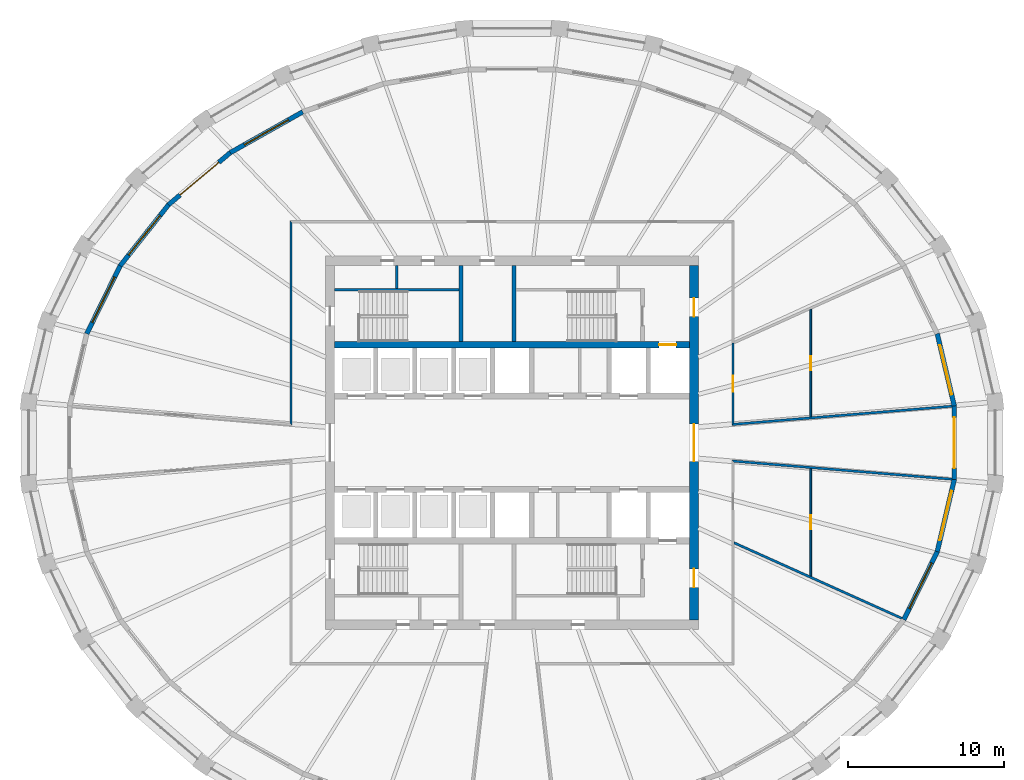
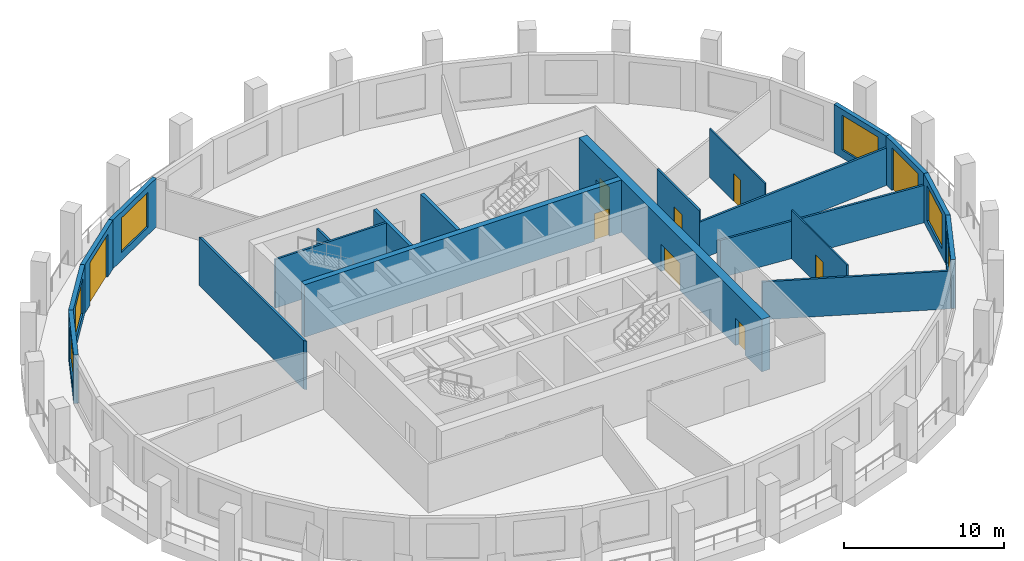
# One storey, part 5 of 10: 21 walls, 9 doors, 6 windows, 15 openings.
"""IFC4 building model written with IfcOpenShell, lengths in metres."""

from ifc_helpers import new_model, si_unit, direction, frame, frame_2d, origin, place, context, subcontext, project, spatial, polyline, rectangle, outline, extrude, material, layer, layer_set, type_object, element, fill, save


model = new_model("IFC4")

# Units and contexts
model_context = context("Model", 3, precision=1e-05, world=origin(), true_north=direction((0.0, 1.0)))
body_context = subcontext(model_context, "Body", "Model", "MODEL_VIEW")
ifc_project = project(units=[si_unit("LENGTHUNIT", "METRE"), si_unit("AREAUNIT", "SQUARE_METRE"), si_unit("VOLUMEUNIT", "CUBIC_METRE"), si_unit("PLANEANGLEUNIT", "RADIAN"), si_unit("MASSUNIT", "GRAM", prefix="KILO")], contexts=[model_context])

# Site, building, storey
site_placement = place(None, origin())
site = spatial("IfcSite", under=ifc_project, at=site_placement, CompositionType="ELEMENT")
building_placement = place(site_placement, origin())
building = spatial("IfcBuilding", under=site, at=building_placement, Name="Halqa Exchange Tower", CompositionType="ELEMENT")
storey_placement = place(building_placement, frame((0.0, 0.0, 238.89990234375)))
storey = spatial("IfcBuildingStorey", under=building, at=storey_placement, Name="L55", CompositionType="ELEMENT", Elevation=238.89990234375)

# Walls
ifc_material_1 = material(Name="Fire-rated gypsum board")
ifc_layer_1 = layer(ifc_material_1, 0.14990234375)
ifc_layer_set_1 = layer_set([ifc_layer_1], Name="Fire-rated gypsum board")
wall_type_1 = type_object("IfcWallType", Name="Fire partition EI 60 150", PredefinedType="PARTITIONING", material=ifc_layer_set_1)
wall_1_placement = place(storey_placement, frame((-14.199951171875, 1.098388671875, 0.0), z_axis=(0.0, 0.0, 1.0), x_axis=(0.0, 1.0, 0.0)))
element("IfcWall", 1, at=wall_1_placement, inside=storey, type_object=wall_type_1, Name="L55-PWL-004", PredefinedType="PARTITIONING", context=body_context, shape_type="SweptSolid", body=[
    extrude(outline(polyline([(0.000244140625, -0.074951171875), (1.861083984375, -0.074951171875), (3.721923828125, -0.074951171875), (5.5830078125, -0.074951171875), (7.44384765625, -0.074951171875), (9.3046875, -0.074951171875), (11.165771484375, -0.074951171875), (13.026611328125, -0.074951171875), (13.176513671875, 0.074951171875), (11.3173828125, 0.074951171875), (9.458251953125, 0.074951171875), (7.599365234375, 0.074951171875), (5.740234375, 0.074951171875), (3.881103515625, 0.074951171875), (2.02197265625, 0.074951171875), (0.1630859375, 0.074951171875), (0.000244140625, -0.074951171875)])), origin(), (0.0, 0.0, 1.0), 3.7001953125),
])
wall_2_placement = place(storey_placement, frame((14.24462890625, -6.420166015625, 0.0), z_axis=(0.0, 0.0, 1.0), x_axis=(0.911879517983, -0.410457969448, 0.0)))
element("IfcWall", 2, at=wall_2_placement, inside=storey, type_object=wall_type_1, Name="L55-PWL-014", PredefinedType="PARTITIONING", context=body_context, shape_type="SweptSolid", body=[
    extrude(outline(polyline([(0.067138671875, -0.074951171875), (2.029052734375, -0.074951171875), (3.9912109375, -0.074951171875), (5.953369140625, -0.074951171875), (7.91552734375, -0.074951171875), (9.877685546875, -0.074951171875), (11.83984375, -0.074951171875), (11.857666015625, -0.00390625), (11.8603515625, 0.074951171875), (10.232666015625, 0.074951171875), (8.604736328125, 0.074951171875), (6.97705078125, 0.074951171875), (5.349365234375, 0.074951171875), (5.34619140625, 0.073486328125), (5.345703125, 0.074951171875), (3.563720703125, 0.074951171875), (1.781982421875, 0.074951171875), (0.0, 0.074951171875), (0.0, 0.073974609375), (0.067138671875, -0.074951171875)])), origin(), (0.0, 0.0, 1.0), 2.880126953125),
])
wall_3_placement = place(storey_placement, frame((14.118896484375, -1.17333984375, 0.0), z_axis=(0.0, 0.0, 1.0), x_axis=(0.996590090632, -0.082511764333, 0.0)))
element("IfcWall", 3, at=wall_3_placement, inside=storey, type_object=wall_type_1, Name="L55-PWL-015", PredefinedType="PARTITIONING", context=body_context, shape_type="SweptSolid", body=[
    extrude(outline(polyline([(0.162841796875, -0.074951171875), (1.8232421875, -0.074951171875), (3.48388671875, -0.074951171875), (5.144287109375, -0.074951171875), (5.15478515625, -0.073974609375), (5.15478515625, -0.074951171875), (6.96240234375, -0.074951171875), (8.77001953125, -0.074951171875), (10.577392578125, -0.074951171875), (12.385009765625, -0.074951171875), (14.192626953125, -0.074951171875), (14.196533203125, -0.04833984375), (14.196533203125, 0.074951171875), (12.421875, 0.074951171875), (10.6474609375, 0.074951171875), (8.872802734375, 0.074951171875), (7.098388671875, 0.074951171875), (5.32373046875, 0.074951171875), (3.549072265625, 0.074951171875), (1.774658203125, 0.074951171875), (0.0, 0.074951171875), (0.081298828125, 0.0), (0.162841796875, -0.074951171875)])), origin(), (0.0, 0.0, 1.0), 2.85009765625),
])
wall_4_placement = place(storey_placement, frame((14.118896484375, 1.17333984375, 0.0), z_axis=(0.0, 0.0, 1.0), x_axis=(0.996590090632, 0.082511764333, 0.0)))
element("IfcWall", 4, at=wall_4_placement, inside=storey, type_object=wall_type_1, Name="L55-PWL-016", PredefinedType="PARTITIONING", context=body_context, shape_type="SweptSolid", body=[
    extrude(outline(polyline([(14.196533203125, -0.074951171875), (14.196533203125, 0.04833984375), (14.192626953125, 0.074951171875), (12.385009765625, 0.074951171875), (10.577392578125, 0.074951171875), (8.77001953125, 0.074951171875), (6.96240234375, 0.074951171875), (5.15478515625, 0.074951171875), (5.15478515625, 0.073974609375), (5.144287109375, 0.074951171875), (3.48388671875, 0.074951171875), (1.8232421875, 0.074951171875), (0.162841796875, 0.074951171875), (0.081298828125, 0.0), (0.0, -0.074951171875), (1.774658203125, -0.074951171875), (3.549072265625, -0.074951171875), (5.32373046875, -0.074951171875), (7.098388671875, -0.074951171875), (8.872802734375, -0.074951171875), (10.6474609375, -0.074951171875), (12.421875, -0.074951171875), (14.196533203125, -0.074951171875)])), origin(), (0.0, 0.0, 1.0), 2.85009765625),
])

# Wall, opening, door
wall_5_placement = place(storey_placement, frame((14.199951171875, 6.39990234375, 0.0), z_axis=(0.0, 0.0, 1.0), x_axis=(0.0, -1.0, 0.0)))
wall_5 = element("IfcWall", 5, at=wall_5_placement, inside=storey, type_object=wall_type_1, Name="L55-PWL-017", PredefinedType="PARTITIONING", context=body_context, shape_type="SweptSolid", body=[
    extrude(outline(polyline([(0.0, -0.074951171875), (1.76708984375, -0.074951171875), (3.5341796875, -0.074951171875), (5.30126953125, -0.074951171875), (5.138427734375, 0.074951171875), (3.42578125, 0.074951171875), (1.712890625, 0.074951171875), (0.0, 0.074951171875), (0.0, -0.074951171875)])), origin(), (0.0, 0.0, 1.0), 3.7001953125),
])
opening_1_placement = place(wall_5_placement, frame((2.110107421875, 0.0, 0.0)))
opening_1 = element("IfcOpeningElement", 6, at=opening_1_placement, cuts=wall_5, Name="Opening 17-04", PredefinedType="OPENING", context=body_context, shape_type="SweptSolid", body=[
    extrude(rectangle(XDim=1.0, YDim=2.10009765625, at=frame_2d((0.5, 1.050048828125))), frame((0.0, 0.0869140625, 0.0), z_axis=(0.0, -1.0, 0.0), x_axis=(1.0, 0.0, 0.0)), (0.0, 0.0, 1.0), 0.173828125),
])
ifc_material_2 = material(Name="Steel fire door leaf", Category="steel")
door_type_1 = type_object("IfcDoorType", Name="Fire door FD30S 1000 x 2100", OperationType="SINGLE_SWING_LEFT", PredefinedType="DOOR", material=ifc_material_2)
door_1_placement = place(opening_1_placement, origin())
door_1 = element("IfcDoor", 7, at=door_1_placement, inside=storey, type_object=door_type_1, Name="L55-IDR-004", OperationType="SINGLE_SWING_RIGHT", OverallHeight=2.10009765625, OverallWidth=1.0, PredefinedType="DOOR", context=body_context, shape_type="SweptSolid", body=[
    extrude(rectangle(XDim=1.0, YDim=2.10009765625, at=frame_2d((0.5, 1.050048828125))), frame((0.0, 0.02490234375, 0.0), z_axis=(0.0, -1.0, 0.0), x_axis=(1.0, 0.0, 0.0)), (0.0, 0.0, 1.0), 0.050048828125),
])
fill(opening_1, door_1)

ifc_material_3 = material(Name="Gypsum board")
ifc_layer_2 = layer(ifc_material_3, 0.10009765625)
ifc_layer_set_2 = layer_set([ifc_layer_2], Name="Gypsum board")
wall_type_2 = type_object("IfcWallType", Name="Partition 100 gypsum", PredefinedType="PARTITIONING", material=ifc_layer_set_2)
wall_6_placement = place(storey_placement, frame((19.199951171875, -1.66552734375, 0.0), z_axis=(0.0, 0.0, 1.0), x_axis=(0.0, -1.0, 0.0)))
wall_6 = element("IfcWall", 8, at=wall_6_placement, inside=storey, type_object=wall_type_2, Name="L55-PWL-020", PredefinedType="PARTITIONING", context=body_context, shape_type="SweptSolid", body=[
    extrude(outline(polyline([(0.0, -0.050048828125), (1.719970703125, -0.050048828125), (3.440185546875, -0.050048828125), (5.16015625, -0.050048828125), (6.88037109375, -0.050048828125), (6.925048828125, 0.04931640625), (6.925048828125, 0.050048828125), (5.19580078125, 0.050048828125), (3.466552734375, 0.050048828125), (1.737060546875, 0.050048828125), (0.0078125, 0.050048828125), (0.0, -0.044921875), (0.0, -0.050048828125)])), origin(), (0.0, 0.0, 1.0), 3.7001953125),
])
opening_2_placement = place(wall_6_placement, frame((3.00439453125, 0.0, 0.0)))
opening_2 = element("IfcOpeningElement", 9, at=opening_2_placement, cuts=wall_6, Name="Opening 17-08", PredefinedType="OPENING", context=body_context, shape_type="SweptSolid", body=[
    extrude(rectangle(XDim=0.89990234375, YDim=2.10009765625, at=frame_2d((0.449951171875, 1.050048828125))), frame((0.0, 0.06201171875, 0.0), z_axis=(0.0, -1.0, 0.0), x_axis=(1.0, 0.0, 0.0)), (0.0, 0.0, 1.0), 0.1240234375),
])
ifc_material_4 = material(Name="Timber door leaf", Category="wood")
door_type_2 = type_object("IfcDoorType", Name="Door 900 x 2100", OperationType="SINGLE_SWING_LEFT", PredefinedType="DOOR", material=ifc_material_4)
door_2_placement = place(opening_2_placement, frame((0.89990234375, 0.0, 0.0), z_axis=(0.0, 0.0, 1.0), x_axis=(-1.0, 0.0, 0.0)))
door_2 = element("IfcDoor", 10, at=door_2_placement, inside=storey, type_object=door_type_2, Name="L55-IDR-008", OperationType="SINGLE_SWING_RIGHT", OverallHeight=2.10009765625, OverallWidth=0.89990234375, PredefinedType="DOOR", context=body_context, shape_type="SweptSolid", body=[
    extrude(rectangle(XDim=0.89990234375, YDim=2.10009765625, at=frame_2d((0.449951171875, 1.050048828125))), frame((0.0, 0.02490234375, 0.0), z_axis=(0.0, -1.0, 0.0), x_axis=(1.0, 0.0, 0.0)), (0.0, 0.0, 1.0), 0.050048828125),
])
fill(opening_2, door_2)

wall_7_placement = place(storey_placement, frame((19.199951171875, 8.590087890625, 0.0), z_axis=(0.0, 0.0, 1.0), x_axis=(0.0, -1.0, 0.0)))
wall_7 = element("IfcWall", 11, at=wall_7_placement, inside=storey, type_object=wall_type_2, Name="L55-PWL-021", PredefinedType="PARTITIONING", context=body_context, shape_type="SweptSolid", body=[
    extrude(outline(polyline([(6.924560546875, -0.050048828125), (6.924560546875, -0.044921875), (6.916748046875, 0.050048828125), (5.1875, 0.050048828125), (3.458251953125, 0.050048828125), (1.729248046875, 0.050048828125), (0.0, 0.050048828125), (0.0, 0.049560546875), (0.044921875, -0.050048828125), (1.7646484375, -0.050048828125), (3.484619140625, -0.050048828125), (5.20458984375, -0.050048828125), (6.924560546875, -0.050048828125)])), origin(), (0.0, 0.0, 1.0), 3.7001953125),
])
opening_3_placement = place(wall_7_placement, frame((3.02001953125, 0.0, 0.0)))
opening_3 = element("IfcOpeningElement", 12, at=opening_3_placement, cuts=wall_7, Name="Opening 17-09", PredefinedType="OPENING", context=body_context, shape_type="SweptSolid", body=[
    extrude(rectangle(XDim=0.89990234375, YDim=2.10009765625, at=frame_2d((0.449951171875, 1.050048828125))), frame((0.0, 0.06201171875, 0.0), z_axis=(0.0, -1.0, 0.0), x_axis=(1.0, 0.0, 0.0)), (0.0, 0.0, 1.0), 0.1240234375),
])
door_3_placement = place(opening_3_placement, frame((0.89990234375, 0.0, 0.0), z_axis=(0.0, 0.0, 1.0), x_axis=(-1.0, 0.0, 0.0)))
door_3 = element("IfcDoor", 13, at=door_3_placement, inside=storey, type_object=door_type_2, Name="L55-IDR-009", OperationType="SINGLE_SWING_RIGHT", OverallHeight=2.10009765625, OverallWidth=0.89990234375, PredefinedType="DOOR", context=body_context, shape_type="SweptSolid", body=[
    extrude(rectangle(XDim=0.89990234375, YDim=2.10009765625, at=frame_2d((0.449951171875, 1.050048828125))), frame((0.0, 0.02490234375, 0.0), z_axis=(0.0, -1.0, 0.0), x_axis=(1.0, 0.0, 0.0)), (0.0, 0.0, 1.0), 0.050048828125),
])
fill(opening_3, door_3)

# Wall
ifc_layer_3 = layer(ifc_material_3, 0.14990234375)
ifc_layer_set_3 = layer_set([ifc_layer_3], Name="Gypsum board")
wall_type_3 = type_object("IfcWallType", Name="Penthouse riser wall 150 gypsum", PredefinedType="PARTITIONING", material=ifc_layer_set_3)
wall_8_placement = place(storey_placement, frame((-7.39990234375, 9.89990234375, 0.0), z_axis=(0.0, 0.0, 1.0), x_axis=(0.0, 1.0, 0.0)))
element("IfcWall", 14, at=wall_8_placement, inside=storey, type_object=wall_type_3, Name="Partition W7.400 N", PredefinedType="PARTITIONING", context=body_context, shape_type="SweptSolid", body=[
    extrude(rectangle(XDim=1.5, YDim=0.14990234375, at=frame_2d((0.75, 0.0))), origin(), (0.0, 0.0, 1.0), 3.7001953125),
])

# Wall, opening, door
ifc_material_5 = material(Name="Concrete C70/85", Category="concrete")
ifc_layer_4 = layer(ifc_material_5, 0.39990234375)
ifc_layer_set_4 = layer_set([ifc_layer_4], Name="Concrete C70/85")
wall_type_4 = type_object("IfcWallType", Name="RC core wall 400 C70/85", PredefinedType="SHEAR", material=ifc_layer_set_4)
wall_9_placement = place(storey_placement, frame((-11.39990234375, 6.300048828125, 0.0), z_axis=(0.0, 0.0, 1.0), x_axis=(1.0, 0.0, 0.0)))
wall_9 = element("IfcWall", 15, at=wall_9_placement, inside=storey, type_object=wall_type_4, Name="Lift row back wall N", PredefinedType="SHEAR", context=body_context, shape_type="SweptSolid", body=[
    extrude(rectangle(XDim=22.7998046875, YDim=0.39990234375, at=frame_2d((11.39990234375, 0.0))), origin(), (0.0, 0.0, 1.0), 4.0),
])
opening_4_placement = place(wall_9_placement, frame((20.85009765625, 0.0, 0.0)))
opening_4 = element("IfcOpeningElement", 16, at=opening_4_placement, cuts=wall_9, Name="Opening LD-FF1-T17", PredefinedType="OPENING", context=body_context, shape_type="SweptSolid", body=[
    extrude(rectangle(XDim=1.10009765625, YDim=2.10009765625, at=frame_2d((0.550048828125, 1.050048828125))), frame((0.0, 0.2119140625, 0.0), z_axis=(0.0, -1.0, 0.0), x_axis=(1.0, 0.0, 0.0)), (0.0, 0.0, 1.0), 0.423828125),
])
ifc_material_6 = material(Name="Stainless steel", Category="steel")
door_type_3 = type_object("IfcDoorType", Name="Lift landing door 1100 x 2100", OperationType="SLIDING_TO_LEFT", PredefinedType="DOOR", material=ifc_material_6)
door_4_placement = place(opening_4_placement, origin())
door_4 = element("IfcDoor", 17, at=door_4_placement, inside=storey, type_object=door_type_3, Name="Lift landing door FF1", OperationType="SLIDING_TO_LEFT", OverallHeight=2.10009765625, OverallWidth=1.10009765625, PredefinedType="DOOR", context=body_context, shape_type="SweptSolid", body=[
    extrude(rectangle(XDim=1.10009765625, YDim=2.10009765625, at=frame_2d((0.550048828125, 1.050048828125))), frame((0.0, 0.02490234375, 0.0), z_axis=(0.0, -1.0, 0.0), x_axis=(1.0, 0.0, 0.0)), (0.0, 0.0, 1.0), 0.050048828125),
])
fill(opening_4, door_4)

# Wall, openings, doors
ifc_layer_5 = layer(ifc_material_5, 0.60009765625)
ifc_layer_set_5 = layer_set([ifc_layer_5], Name="Concrete C70/85")
wall_type_5 = type_object("IfcWallType", Name="RC core wall 600 C70/85", PredefinedType="SHEAR", material=ifc_layer_set_5)
wall_10_placement = place(storey_placement, frame((11.699951171875, -11.39990234375, 0.0), z_axis=(0.0, 0.0, 1.0), x_axis=(0.0, 1.0, 0.0)))
wall_10 = element("IfcWall", 18, at=wall_10_placement, inside=storey, type_object=wall_type_5, Name="Core wall east", PredefinedType="SHEAR", context=body_context, shape_type="SweptSolid", body=[
    extrude(rectangle(XDim=22.7998046875, YDim=0.60009765625, at=frame_2d((11.39990234375, 0.0))), origin(), (0.0, 0.0, 1.0), 4.0),
])
opening_5_placement = place(wall_10_placement, frame((10.199951171875, 0.0, 0.0)))
opening_5 = element("IfcOpeningElement", 19, at=opening_5_placement, cuts=wall_10, Name="Opening T17-C14", PredefinedType="OPENING", context=body_context, shape_type="SweptSolid", body=[
    extrude(rectangle(XDim=2.39990234375, YDim=2.10009765625, at=frame_2d((1.199951171875, 1.050048828125))), frame((0.0, 0.31201171875, 0.0), z_axis=(0.0, -1.0, 0.0), x_axis=(1.0, 0.0, 0.0)), (0.0, 0.0, 1.0), 0.6240234375),
])
opening_6_placement = place(wall_10_placement, frame((19.5, 0.0, 0.0)))
opening_6 = element("IfcOpeningElement", 20, at=opening_6_placement, cuts=wall_10, Name="Opening T17-C19", PredefinedType="OPENING", context=body_context, shape_type="SweptSolid", body=[
    extrude(rectangle(XDim=1.199951171875, YDim=2.10009765625, at=frame_2d((0.60009765625, 1.050048828125))), frame((0.0, 0.31201171875, 0.0), z_axis=(0.0, -1.0, 0.0), x_axis=(1.0, 0.0, 0.0)), (0.0, 0.0, 1.0), 0.6240234375),
])
opening_7_placement = place(wall_10_placement, frame((2.10009765625, 0.0, 0.0)))
opening_7 = element("IfcOpeningElement", 21, at=opening_7_placement, cuts=wall_10, Name="Opening T17-C20", PredefinedType="OPENING", context=body_context, shape_type="SweptSolid", body=[
    extrude(rectangle(XDim=1.199951171875, YDim=2.10009765625, at=frame_2d((0.60009765625, 1.050048828125))), frame((0.0, 0.31201171875, 0.0), z_axis=(0.0, -1.0, 0.0), x_axis=(1.0, 0.0, 0.0)), (0.0, 0.0, 1.0), 0.6240234375),
])
door_type_4 = type_object("IfcDoorType", Name="Firefighting lobby door FD90 1200 x 2100", OperationType="SINGLE_SWING_RIGHT", PredefinedType="DOOR", material=ifc_material_2)
door_5_placement = place(opening_6_placement, origin())
door_5 = element("IfcDoor", 22, at=door_5_placement, inside=storey, type_object=door_type_4, Name="Firefighting lobby door", OperationType="SINGLE_SWING_RIGHT", OverallHeight=2.10009765625, OverallWidth=1.199951171875, PredefinedType="DOOR", context=body_context, shape_type="SweptSolid", body=[
    extrude(rectangle(XDim=1.199951171875, YDim=2.10009765625, at=frame_2d((0.60009765625, 1.050048828125))), frame((0.0, 0.02490234375, 0.0), z_axis=(0.0, -1.0, 0.0), x_axis=(1.0, 0.0, 0.0)), (0.0, 0.0, 1.0), 0.050048828125),
])
fill(opening_6, door_5)
door_6_placement = place(opening_7_placement, origin())
door_6 = element("IfcDoor", 23, at=door_6_placement, inside=storey, type_object=door_type_4, Name="Firefighting lobby door", OperationType="SINGLE_SWING_LEFT", OverallHeight=2.10009765625, OverallWidth=1.199951171875, PredefinedType="DOOR", context=body_context, shape_type="SweptSolid", body=[
    extrude(rectangle(XDim=1.199951171875, YDim=2.10009765625, at=frame_2d((0.60009765625, 1.050048828125))), frame((0.0, 0.02490234375, 0.0), z_axis=(0.0, -1.0, 0.0), x_axis=(1.0, 0.0, 0.0)), (0.0, 0.0, 1.0), 0.050048828125),
])
fill(opening_7, door_6)
door_type_5 = type_object("IfcDoorType", Name="Lobby double door FD60 2400 x 2100", OperationType="DOUBLE_DOOR_SINGLE_SWING", PredefinedType="DOOR", material=ifc_material_2)
door_7_placement = place(opening_5_placement, origin())
door_7 = element("IfcDoor", 24, at=door_7_placement, inside=storey, type_object=door_type_5, Name="Lift lobby double door", OperationType="DOUBLE_DOOR_SINGLE_SWING", OverallHeight=2.10009765625, OverallWidth=2.39990234375, PredefinedType="DOOR", context=body_context, shape_type="SweptSolid", body=[
    extrude(rectangle(XDim=2.39990234375, YDim=2.10009765625, at=frame_2d((1.199951171875, 1.050048828125))), frame((0.0, 0.02490234375, 0.0), z_axis=(0.0, -1.0, 0.0), x_axis=(1.0, 0.0, 0.0)), (0.0, 0.0, 1.0), 0.050048828125),
])
fill(opening_5, door_7)

# Walls
ifc_material_7 = material(Name="Concrete C30/37", Category="concrete")
ifc_layer_6 = layer(ifc_material_7, 0.14990234375)
ifc_layer_set_6 = layer_set([ifc_layer_6], Name="Concrete C30/37")
wall_type_6 = type_object("IfcWallType", Name="RC stair wall 150 C30/37", PredefinedType="SHEAR", material=ifc_layer_set_6)
wall_11_placement = place(storey_placement, frame((-11.39990234375, 9.824951171875, 0.0), z_axis=(0.0, 0.0, 1.0), x_axis=(1.0, 0.0, 0.0)))
element("IfcWall", 25, at=wall_11_placement, inside=storey, type_object=wall_type_6, Name="Stair ST1 north wall N", PredefinedType="SHEAR", context=body_context, shape_type="SweptSolid", body=[
    extrude(rectangle(XDim=8.0, YDim=0.14990234375, at=frame_2d((4.0, 0.0))), origin(), (0.0, 0.0, 1.0), 3.7001953125),
])
ifc_layer_7 = layer(ifc_material_7, 0.25)
ifc_layer_set_7 = layer_set([ifc_layer_7], Name="Concrete C30/37")
wall_type_7 = type_object("IfcWallType", Name="RC stair wall 250 C30/37", PredefinedType="SHEAR", material=ifc_layer_set_7)
for number, where, z_axis, x_axis, name in (
    (26, (-3.27490234375, 6.5, 0.0), (0.0, 0.0, 1.0), (0.0, 1.0, 0.0), "Stair ST1 east wall N"),
    (27, (0.125, 6.5, 0.0), (0.0, 0.0, 1.0), (0.0, 1.0, 0.0), "Stair ST2 west wall N"),
):
    element("IfcWall", number, at=place(storey_placement, frame(where, z_axis=z_axis, x_axis=x_axis)), inside=storey, type_object=wall_type_7, Name=name, PredefinedType="SHEAR", context=body_context, shape_type="SweptSolid", body=[
        extrude(rectangle(XDim=4.89990234375, YDim=0.25, at=frame_2d((2.449951171875, 0.0))), origin(), (0.0, 0.0, 1.0), 3.7001953125),
    ])

# Wall, opening, window
ifc_material_8 = material(Name="Limestone cladding", Category="masonry")
ifc_layer_8 = layer(ifc_material_8, 0.0400390625)
ifc_material_9 = material(Name="Ventilated cavity")
ifc_layer_9 = layer(ifc_material_9, 0.030029296875, ventilated=True)
ifc_material_10 = material(Name="Mineral wool insulation")
ifc_layer_10 = layer(ifc_material_10, 0.10009765625)
ifc_layer_11 = layer(ifc_material_7, 0.10009765625)
ifc_material_11 = material(Name="Internal plaster")
ifc_layer_12 = layer(ifc_material_11, 0.030029296875)
ifc_layer_set_8 = layer_set([ifc_layer_8, ifc_layer_9, ifc_layer_10, ifc_layer_11, ifc_layer_12], Name="Stone-faced insulated wall 300")
wall_type_8 = type_object("IfcWallType", Name="Stone-faced insulated wall 300", PredefinedType="STANDARD", material=ifc_layer_set_8)
wall_12_placement = place(storey_placement, frame((28.423583984375, 2.365234375, 0.0), z_axis=(0.0, 0.0, 1.0), x_axis=(-0.229593205094, 0.973286679337, 0.0)))
wall_12 = element("IfcWall", 28, at=wall_12_placement, inside=storey, type_object=wall_type_8, Name="Glass-line wall 1", PredefinedType="STANDARD", context=body_context, shape_type="SweptSolid", body=[
    extrude(outline(polyline([(-0.017578125, -0.14990234375), (4.78271484375, -0.14990234375), (4.7490234375, 0.14990234375), (0.017578125, 0.14990234375), (-0.017578125, -0.14990234375)])), origin(), (0.0, 0.0, 1.0), 3.7001953125),
])
opening_8_placement = place(wall_12_placement, frame((0.758056640625, 0.0, 0.60009765625)))
opening_8 = element("IfcOpeningElement", 29, at=opening_8_placement, cuts=wall_12, Name="Opening W-F3-01", PredefinedType="OPENING", context=body_context, shape_type="SweptSolid", body=[
    extrude(rectangle(XDim=3.25, YDim=2.64990234375, at=frame_2d((1.625, 1.324951171875))), frame((0.0, 0.162109375, 0.0), z_axis=(0.0, -1.0, 0.0), x_axis=(1.0, 0.0, 0.0)), (0.0, 0.0, 1.0), 0.323974609375),
])
ifc_material_12 = material(Name="Clear low-emissivity glass in aluminium frame", Category="aluminium")
window_type = type_object("IfcWindowType", Name="Fixed clear glazed window 3250 x 2650", PartitioningType="TRIPLE_PANEL_VERTICAL", PredefinedType="WINDOW", material=ifc_material_12)
window_1_placement = place(opening_8_placement, origin())
window_1 = element("IfcWindow", 30, at=window_1_placement, inside=storey, type_object=window_type, Name="Window 3", OverallHeight=2.64990234375, OverallWidth=3.25, PartitioningType="TRIPLE_PANEL_VERTICAL", PredefinedType="WINDOW", context=body_context, shape_type="SweptSolid", body=[
    extrude(rectangle(XDim=3.25, YDim=2.64990234375, at=frame_2d((1.625, 1.324951171875))), frame((0.0, 0.030029296875, 0.0), z_axis=(0.0, -1.0, 0.0), x_axis=(1.0, 0.0, 0.0)), (0.0, 0.0, 1.0), 0.06005859375),
])
fill(opening_8, window_1)

wall_13_placement = place(storey_placement, frame((-13.45458984375, 21.260986328125, 0.0), z_axis=(0.0, 0.0, 1.0), x_axis=(-0.871275151053, -0.490794876865, 0.0)))
wall_13 = element("IfcWall", 31, at=wall_13_placement, inside=storey, type_object=wall_type_8, Name="Glass-line wall 11", PredefinedType="STANDARD", context=body_context, shape_type="SweptSolid", body=[
    extrude(outline(polyline([(-0.013427734375, -0.14990234375), (5.356689453125, -0.14990234375), (5.328369140625, 0.14990234375), (0.013427734375, 0.14990234375), (-0.013427734375, -0.14990234375)])), origin(), (0.0, 0.0, 1.0), 3.7001953125),
])
opening_9_placement = place(wall_13_placement, frame((1.046142578125, 0.0, 0.60009765625)))
opening_9 = element("IfcOpeningElement", 32, at=opening_9_placement, cuts=wall_13, Name="Opening W-F3-11", PredefinedType="OPENING", context=body_context, shape_type="SweptSolid", body=[
    extrude(rectangle(XDim=3.25, YDim=2.64990234375, at=frame_2d((1.625, 1.324951171875))), frame((0.0, 0.162109375, 0.0), z_axis=(0.0, -1.0, 0.0), x_axis=(1.0, 0.0, 0.0)), (0.0, 0.0, 1.0), 0.323974609375),
])
window_2_placement = place(opening_9_placement, origin())
window_2 = element("IfcWindow", 33, at=window_2_placement, inside=storey, type_object=window_type, Name="Window 3", OverallHeight=2.64990234375, OverallWidth=3.25, PartitioningType="TRIPLE_PANEL_VERTICAL", PredefinedType="WINDOW", context=body_context, shape_type="SweptSolid", body=[
    extrude(rectangle(XDim=3.25, YDim=2.64990234375, at=frame_2d((1.625, 1.324951171875))), frame((0.0, 0.030029296875, 0.0), z_axis=(0.0, -1.0, 0.0), x_axis=(1.0, 0.0, 0.0)), (0.0, 0.0, 1.0), 0.06005859375),
])
fill(opening_9, window_2)

# Wall, opening, door
wall_14_placement = place(storey_placement, frame((-18.109375, 18.638916015625, 0.0), z_axis=(0.0, 0.0, 1.0), x_axis=(-0.764530975429, -0.644586989948, 0.0)))
wall_14 = element("IfcWall", 34, at=wall_14_placement, inside=storey, type_object=wall_type_8, Name="Glass-line wall 12", PredefinedType="STANDARD", context=body_context, shape_type="SweptSolid", body=[
    extrude(outline(polyline([(-0.01416015625, -0.14990234375), (5.1953125, -0.14990234375), (5.1650390625, 0.14990234375), (0.01416015625, 0.14990234375), (-0.01416015625, -0.14990234375)])), origin(), (0.0, 0.0, 1.0), 3.7001953125),
])
opening_10_placement = place(wall_14_placement, frame((0.965087890625, 0.0, 0.0)))
opening_10 = element("IfcOpeningElement", 35, at=opening_10_placement, cuts=wall_14, Name="Opening LG-F3-03", PredefinedType="OPENING", context=body_context, shape_type="SweptSolid", body=[
    extrude(rectangle(XDim=3.25, YDim=3.25, at=frame_2d((1.625, 1.625))), frame((0.0, 0.162109375, 0.0), z_axis=(0.0, -1.0, 0.0), x_axis=(1.0, 0.0, 0.0)), (0.0, 0.0, 1.0), 0.323974609375),
])
door_type_6 = type_object("IfcDoorType", Name="Glazed sliding loggia door 3250 x 3250", OperationType="DOUBLE_DOOR_SLIDING", PredefinedType="DOOR", material=ifc_material_12)
door_8_placement = place(opening_10_placement, origin())
door_8 = element("IfcDoor", 36, at=door_8_placement, inside=storey, type_object=door_type_6, Name="Loggia door 3", OperationType="DOUBLE_DOOR_SLIDING", OverallHeight=3.25, OverallWidth=3.25, PredefinedType="DOOR", context=body_context, shape_type="SweptSolid", body=[
    extrude(rectangle(XDim=3.25, YDim=3.25, at=frame_2d((1.625, 1.625))), frame((0.0, 0.02490234375, 0.0), z_axis=(0.0, -1.0, 0.0), x_axis=(1.0, 0.0, 0.0)), (0.0, 0.0, 1.0), 0.050048828125),
])
fill(opening_10, door_8)

# Wall, opening, window
wall_15_placement = place(storey_placement, frame((-22.06982421875, 15.2998046875, 0.0), z_axis=(0.0, 0.0, 1.0), x_axis=(-0.621130746167, -0.783706958094, 0.0)))
wall_15 = element("IfcWall", 37, at=wall_15_placement, inside=storey, type_object=wall_type_8, Name="Glass-line wall 13", PredefinedType="STANDARD", context=body_context, shape_type="SweptSolid", body=[
    extrude(outline(polyline([(-0.01513671875, -0.14990234375), (5.02880859375, -0.14990234375), (4.99658203125, 0.14990234375), (0.01513671875, 0.14990234375), (-0.01513671875, -0.14990234375)])), origin(), (0.0, 0.0, 1.0), 3.7001953125),
])
opening_11_placement = place(wall_15_placement, frame((0.88134765625, 0.0, 0.60009765625)))
opening_11 = element("IfcOpeningElement", 38, at=opening_11_placement, cuts=wall_15, Name="Opening W-F3-13", PredefinedType="OPENING", context=body_context, shape_type="SweptSolid", body=[
    extrude(rectangle(XDim=3.25, YDim=2.64990234375, at=frame_2d((1.625, 1.324951171875))), frame((0.0, 0.162109375, 0.0), z_axis=(0.0, -1.0, 0.0), x_axis=(1.0, 0.0, 0.0)), (0.0, 0.0, 1.0), 0.323974609375),
])
window_3_placement = place(opening_11_placement, origin())
window_3 = element("IfcWindow", 39, at=window_3_placement, inside=storey, type_object=window_type, Name="Window 3", OverallHeight=2.64990234375, OverallWidth=3.25, PartitioningType="TRIPLE_PANEL_VERTICAL", PredefinedType="WINDOW", context=body_context, shape_type="SweptSolid", body=[
    extrude(rectangle(XDim=3.25, YDim=2.64990234375, at=frame_2d((1.625, 1.324951171875))), frame((0.0, 0.030029296875, 0.0), z_axis=(0.0, -1.0, 0.0), x_axis=(1.0, 0.0, 0.0)), (0.0, 0.0, 1.0), 0.06005859375),
])
fill(opening_11, window_3)

wall_16_placement = place(storey_placement, frame((-25.183349609375, 11.371337890625, 0.0), z_axis=(0.0, 0.0, 1.0), x_axis=(-0.441001730708, -0.897506252632, 0.0)))
wall_16 = element("IfcWall", 40, at=wall_16_placement, inside=storey, type_object=wall_type_8, Name="Glass-line wall 14", PredefinedType="STANDARD", context=body_context, shape_type="SweptSolid", body=[
    extrude(outline(polyline([(-0.01611328125, -0.14990234375), (4.883056640625, -0.14990234375), (4.849365234375, 0.14990234375), (0.01611328125, 0.14990234375), (-0.01611328125, -0.14990234375)])), origin(), (0.0, 0.0, 1.0), 3.7001953125),
])
opening_12_placement = place(wall_16_placement, frame((0.80810546875, 0.0, 0.60009765625)))
opening_12 = element("IfcOpeningElement", 41, at=opening_12_placement, cuts=wall_16, Name="Opening W-F3-14", PredefinedType="OPENING", context=body_context, shape_type="SweptSolid", body=[
    extrude(rectangle(XDim=3.25, YDim=2.64990234375, at=frame_2d((1.625, 1.324951171875))), frame((0.0, 0.162109375, 0.0), z_axis=(0.0, -1.0, 0.0), x_axis=(1.0, 0.0, 0.0)), (0.0, 0.0, 1.0), 0.323974609375),
])
window_4_placement = place(opening_12_placement, origin())
window_4 = element("IfcWindow", 42, at=window_4_placement, inside=storey, type_object=window_type, Name="Window 3", OverallHeight=2.64990234375, OverallWidth=3.25, PartitioningType="TRIPLE_PANEL_VERTICAL", PredefinedType="WINDOW", context=body_context, shape_type="SweptSolid", body=[
    extrude(rectangle(XDim=3.25, YDim=2.64990234375, at=frame_2d((1.625, 1.324951171875))), frame((0.0, 0.030029296875, 0.0), z_axis=(0.0, -1.0, 0.0), x_axis=(1.0, 0.0, 0.0)), (0.0, 0.0, 1.0), 0.06005859375),
])
fill(opening_12, window_4)

wall_17_placement = place(storey_placement, frame((25.183349609375, -11.371337890625, 0.0), z_axis=(0.0, 0.0, 1.0), x_axis=(0.441001730708, 0.897506252632, 0.0)))
wall_17 = element("IfcWall", 43, at=wall_17_placement, inside=storey, type_object=wall_type_8, Name="Glass-line wall 30", PredefinedType="STANDARD", context=body_context, shape_type="SweptSolid", body=[
    extrude(outline(polyline([(-0.01611328125, -0.14990234375), (4.883056640625, -0.14990234375), (4.849365234375, 0.14990234375), (0.01611328125, 0.14990234375), (-0.01611328125, -0.14990234375)])), origin(), (0.0, 0.0, 1.0), 3.7001953125),
])
opening_13_placement = place(wall_17_placement, frame((0.80810546875, 0.0, 0.60009765625)))
opening_13 = element("IfcOpeningElement", 44, at=opening_13_placement, cuts=wall_17, Name="Opening W-F3-30", PredefinedType="OPENING", context=body_context, shape_type="SweptSolid", body=[
    extrude(rectangle(XDim=3.25, YDim=2.64990234375, at=frame_2d((1.625, 1.324951171875))), frame((0.0, 0.162109375, 0.0), z_axis=(0.0, -1.0, 0.0), x_axis=(1.0, 0.0, 0.0)), (0.0, 0.0, 1.0), 0.323974609375),
])
window_5_placement = place(opening_13_placement, origin())
window_5 = element("IfcWindow", 45, at=window_5_placement, inside=storey, type_object=window_type, Name="Window 3", OverallHeight=2.64990234375, OverallWidth=3.25, PartitioningType="TRIPLE_PANEL_VERTICAL", PredefinedType="WINDOW", context=body_context, shape_type="SweptSolid", body=[
    extrude(rectangle(XDim=3.25, YDim=2.64990234375, at=frame_2d((1.625, 1.324951171875))), frame((0.0, 0.030029296875, 0.0), z_axis=(0.0, -1.0, 0.0), x_axis=(1.0, 0.0, 0.0)), (0.0, 0.0, 1.0), 0.06005859375),
])
fill(opening_13, window_5)

wall_18_placement = place(storey_placement, frame((27.329345703125, -7.00390625, 0.0), z_axis=(0.0, 0.0, 1.0), x_axis=(0.229593205094, 0.973286679337, 0.0)))
wall_18 = element("IfcWall", 46, at=wall_18_placement, inside=storey, type_object=wall_type_8, Name="Glass-line wall 31", PredefinedType="STANDARD", context=body_context, shape_type="SweptSolid", body=[
    extrude(outline(polyline([(-0.016845703125, -0.14990234375), (4.783447265625, -0.14990234375), (4.748291015625, 0.14990234375), (0.016845703125, 0.14990234375), (-0.016845703125, -0.14990234375)])), origin(), (0.0, 0.0, 1.0), 3.7001953125),
])
opening_14_placement = place(wall_18_placement, frame((0.758056640625, 0.0, 0.60009765625)))
opening_14 = element("IfcOpeningElement", 47, at=opening_14_placement, cuts=wall_18, Name="Opening W-F3-31", PredefinedType="OPENING", context=body_context, shape_type="SweptSolid", body=[
    extrude(rectangle(XDim=3.25, YDim=2.64990234375, at=frame_2d((1.625, 1.324951171875))), frame((0.0, 0.162109375, 0.0), z_axis=(0.0, -1.0, 0.0), x_axis=(1.0, 0.0, 0.0)), (0.0, 0.0, 1.0), 0.323974609375),
])
window_6_placement = place(opening_14_placement, origin())
window_6 = element("IfcWindow", 48, at=window_6_placement, inside=storey, type_object=window_type, Name="Window 3", OverallHeight=2.64990234375, OverallWidth=3.25, PartitioningType="TRIPLE_PANEL_VERTICAL", PredefinedType="WINDOW", context=body_context, shape_type="SweptSolid", body=[
    extrude(rectangle(XDim=3.25, YDim=2.64990234375, at=frame_2d((1.625, 1.324951171875))), frame((0.0, 0.030029296875, 0.0), z_axis=(0.0, -1.0, 0.0), x_axis=(1.0, 0.0, 0.0)), (0.0, 0.0, 1.0), 0.06005859375),
])
fill(opening_14, window_6)

# Wall, opening, door
wall_19_placement = place(storey_placement, frame((28.423583984375, -2.365234375, 0.0), z_axis=(0.0, 0.0, 1.0), x_axis=(0.0, 1.0, 0.0)))
wall_19 = element("IfcWall", 49, at=wall_19_placement, inside=storey, type_object=wall_type_8, Name="Glass-line wall 32", PredefinedType="STANDARD", context=body_context, shape_type="SweptSolid", body=[
    extrude(outline(polyline([(-0.017578125, -0.14990234375), (4.748046875, -0.14990234375), (4.712890625, 0.14990234375), (0.017578125, 0.14990234375), (-0.017578125, -0.14990234375)])), origin(), (0.0, 0.0, 1.0), 3.7001953125),
])
opening_15_placement = place(wall_19_placement, frame((0.740234375, 0.0, 0.0)))
opening_15 = element("IfcOpeningElement", 50, at=opening_15_placement, cuts=wall_19, Name="Opening LG-F3-08", PredefinedType="OPENING", context=body_context, shape_type="SweptSolid", body=[
    extrude(rectangle(XDim=3.25, YDim=3.25, at=frame_2d((1.625, 1.625))), frame((0.0, 0.162109375, 0.0), z_axis=(0.0, -1.0, 0.0), x_axis=(1.0, 0.0, 0.0)), (0.0, 0.0, 1.0), 0.323974609375),
])
door_9_placement = place(opening_15_placement, origin())
door_9 = element("IfcDoor", 51, at=door_9_placement, inside=storey, type_object=door_type_6, Name="Loggia door 8", OperationType="DOUBLE_DOOR_SLIDING", OverallHeight=3.25, OverallWidth=3.25, PredefinedType="DOOR", context=body_context, shape_type="SweptSolid", body=[
    extrude(rectangle(XDim=3.25, YDim=3.25, at=frame_2d((1.625, 1.625))), frame((0.0, 0.02490234375, 0.0), z_axis=(0.0, -1.0, 0.0), x_axis=(1.0, 0.0, 0.0)), (0.0, 0.0, 1.0), 0.050048828125),
])
fill(opening_15, door_9)

save(model, "model.ifc")
